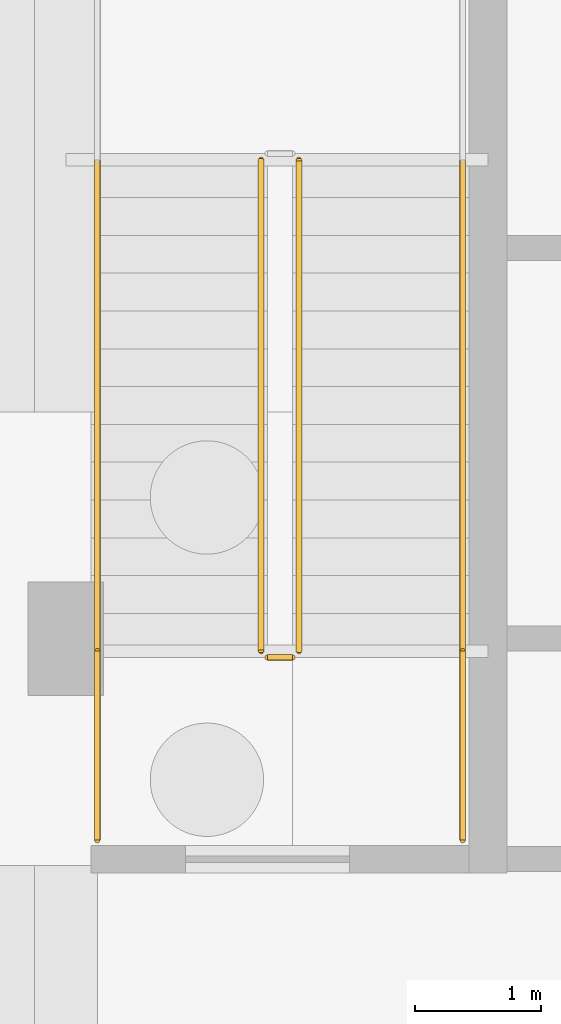
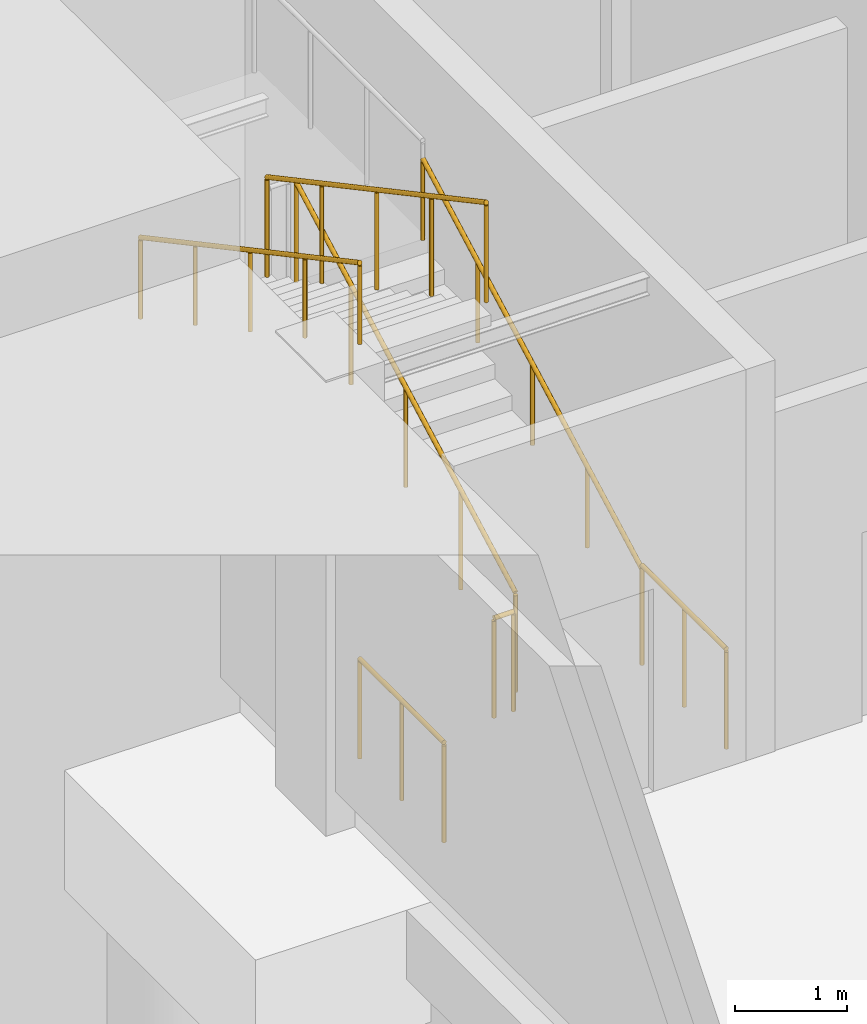
# One storey, part 48 of 51: 7 railings.
"""IFC4 building model written with IfcOpenShell, lengths in metres."""

import ifcopenshell
import ifcopenshell.guid

model = None  # the IFC model being written
_history = None  # IfcOwnerHistory: only IFC2X3 demands one
_inside = {}  # id of a spatial element -> (the spatial element, [elements in it])
_under = {}  # id of a project, library or spatial element -> (it, [spatial elements below it])
_declared = {}  # id of a project -> (the project, [libraries it declares])
_typed = {}  # id of a type object -> (the type object, [elements of that type])
_made_of = {}  # id of a material, layer set ... -> (it, [elements and type objects made of it])


def new_model(schema):
    """Start an empty IFC model of exactly this schema.

    Asked for "IFC4X3", IfcOpenShell would pick the latest addendum, in which some entities
    have other attributes; the version numbers below select the first issue.
    IFC2X3 requires an IfcOwnerHistory on every rooted entity: one is made here for all.
    """
    global model, _history
    if schema == "IFC4X3":
        model = ifcopenshell.file(schema_version=(4, 3, 0, 0))
    else:
        model = ifcopenshell.file(schema=schema)
    _inside.clear()
    _under.clear()
    _declared.clear()
    _typed.clear()
    _made_of.clear()
    _history = None
    if model.schema == "IFC2X3":
        org = make("IfcOrganization", Name="unknown")
        user = make(
            "IfcPersonAndOrganization",
            ThePerson=make("IfcPerson", FamilyName="unknown"),
            TheOrganization=org,
        )
        app = make(
            "IfcApplication",
            ApplicationDeveloper=org,
            Version="unknown",
            ApplicationFullName="unknown",
            ApplicationIdentifier="unknown",
        )
        _history = make(
            "IfcOwnerHistory",
            OwningUser=user,
            OwningApplication=app,
            ChangeAction="ADDED",
            CreationDate=0,
        )
    return model


def make(cls, **values):
    """One entity of the class cls with the attributes given. An attribute that is None is left unset."""
    return model.create_entity(
        cls, **{name: value for name, value in values.items() if value is not None}
    )


def rooted(cls, **values):
    """An entity with a GlobalId (a new one), such as an element, a storey or a relation."""
    return make(cls, GlobalId=ifcopenshell.guid.new(), OwnerHistory=_history, **values)


def si_unit(unit_type, name, prefix=None):
    """IfcSIUnit, for example si_unit("LENGTHUNIT", "METRE", prefix="MILLI")."""
    return make("IfcSIUnit", UnitType=unit_type, Prefix=prefix, Name=name)


def assignment(units):
    """IfcUnitAssignment: the units of a project."""
    return None if units is None else make("IfcUnitAssignment", Units=units)


def point(xyz):
    """IfcCartesianPoint."""
    return None if xyz is None else make("IfcCartesianPoint", Coordinates=xyz)


def direction(xyz):
    """IfcDirection."""
    return None if xyz is None else make("IfcDirection", DirectionRatios=xyz)


def frame(location, z_axis=None, x_axis=None):
    """IfcAxis2Placement3D, a coordinate frame: its origin and axes. An axis left out is left unset."""
    return make(
        "IfcAxis2Placement3D",
        Location=point(location),
        Axis=direction(z_axis),
        RefDirection=direction(x_axis),
    )


def frame_2d(location, x_axis=None):
    """IfcAxis2Placement2D, a coordinate frame in the plane: its origin and x axis."""
    return make(
        "IfcAxis2Placement2D", Location=point(location), RefDirection=direction(x_axis)
    )


def origin():
    """The frame at (0, 0, 0) with its axes left unset."""
    return frame((0.0, 0.0, 0.0))


def origin_2d():
    """The frame at (0, 0) in the plane with its x axis left unset."""
    return frame_2d((0.0, 0.0))


def place(relative_to, where):
    """IfcLocalPlacement: puts the frame where relative to a parent placement (None: the world)."""
    return make(
        "IfcLocalPlacement", PlacementRelTo=relative_to, RelativePlacement=where
    )


def context(
    kind, dimensions, precision=None, world=None, true_north=None, identifier=None
):
    """IfcGeometricRepresentationContext, for example the 3D "Model" context."""
    return make(
        "IfcGeometricRepresentationContext",
        ContextIdentifier=identifier,
        ContextType=kind,
        CoordinateSpaceDimension=dimensions,
        Precision=precision,
        WorldCoordinateSystem=world,
        TrueNorth=true_north,
    )


def subcontext(parent, identifier, kind, view, scale=None):
    """IfcGeometricRepresentationSubContext, for example "Body" below "Model"."""
    return make(
        "IfcGeometricRepresentationSubContext",
        ContextIdentifier=identifier,
        ContextType=kind,
        ParentContext=parent,
        TargetScale=scale,
        TargetView=view,
    )


def project(units=None, contexts=None):
    """IfcProject with its units and contexts."""
    return rooted(
        "IfcProject",
        Name="project",
        RepresentationContexts=contexts,
        UnitsInContext=assignment(units),
    )


def spatial(cls, under=None, at=None, **own):
    """A site, building, storey or space (cls), placed at a placement, below another one or the project."""
    s = rooted(cls, ObjectPlacement=at, **own)
    if under is not None:
        _under.setdefault(under.id(), (under, []))[1].append(s)
    return s


def profile(cls, at=None, kind="AREA", **sizes):
    """A parametric profile (cls). Its sizes go by their IFC names, for example OverallWidth=200.0."""
    return make(cls, ProfileType=kind, Position=at, **sizes)


def circle(**sizes):
    """IfcCircleProfileDef."""
    return profile("IfcCircleProfileDef", **sizes)


def extrude(swept, where, along, depth):
    """IfcExtrudedAreaSolid: the profile swept, set in the frame where, extruded along a direction by depth."""
    return make(
        "IfcExtrudedAreaSolid",
        SweptArea=swept,
        Position=where,
        ExtrudedDirection=direction(along),
        Depth=depth,
    )


def shape(context_of_items, identifier, shape_type, items):
    """IfcShapeRepresentation: the items that make up one representation, for example the "Body"."""
    return make(
        "IfcShapeRepresentation",
        ContextOfItems=context_of_items,
        RepresentationIdentifier=identifier,
        RepresentationType=shape_type,
        Items=items,
    )


def material(Name=None, Category=None):
    """IfcMaterial."""
    return make("IfcMaterial", Name=Name, Category=Category)


def made_of(thing, what):
    """Note that an element or type object is made of a material, layer set ...; save() writes the relation."""
    if what is not None:
        _made_of.setdefault(what.id(), (what, []))[1].append(thing)
    return thing


def type_object(cls, material=None, **own):
    """A type object (cls), such as IfcWallType, which elements share."""
    return made_of(rooted(cls, **own), material)


def element(
    cls,
    number,
    at=None,
    inside=None,
    cuts=None,
    type_object=None,
    material=None,
    context=None,
    identifier="Body",
    shape_type=None,
    held_by="IfcProductDefinitionShape",
    body=None,
    shapes=None,
    **own,
):
    """One element of the class cls, such as IfcWall. Its Tag is "e" and its number.

    at: its placement. inside: the storey or other place that contains it. cuts: it is an
    opening in that element (IfcRelVoidsElement). A single representation is given by context,
    identifier, shape_type and body (its items); several are given by shapes. held_by: the class
    of the entity that holds the representations. save() writes the other relations.
    """
    e = rooted(cls, Tag="e%d" % number, ObjectPlacement=at, **own)
    if body is not None:
        shapes = [shape(context, identifier, shape_type, body)]
    if shapes is not None:
        e.Representation = make(held_by, Representations=shapes)
    if inside is not None:
        _inside.setdefault(inside.id(), (inside, []))[1].append(e)
    if cuts is not None:
        rooted(
            "IfcRelVoidsElement", RelatingBuildingElement=cuts, RelatedOpeningElement=e
        )
    if type_object is not None:
        _typed.setdefault(type_object.id(), (type_object, []))[1].append(e)
    return made_of(e, material)


def aggregate(whole, parts):
    """IfcRelAggregates: a whole, such as a stair, and the parts it consists of."""
    return rooted("IfcRelAggregates", RelatingObject=whole, RelatedObjects=parts)


def save(model, path):
    """Write the relations noted so far, then the file.

    IfcRelAggregates (storeys below a building ...), IfcRelContainedInSpatialStructure (elements
    in a storey), IfcRelDefinesByType, IfcRelAssociatesMaterial and IfcRelDeclares: one each for
    every whole, place, type object, material and project.
    """
    for whole, parts in _under.values():
        aggregate(whole, parts)
    for where, things in _inside.values():
        rooted(
            "IfcRelContainedInSpatialStructure",
            RelatedElements=things,
            RelatingStructure=where,
        )
    for kind, things in _typed.values():
        rooted("IfcRelDefinesByType", RelatedObjects=things, RelatingType=kind)
    for what, things in _made_of.values():
        rooted("IfcRelAssociatesMaterial", RelatedObjects=things, RelatingMaterial=what)
    for by, libraries in _declared.values():
        rooted("IfcRelDeclares", RelatingContext=by, RelatedDefinitions=libraries)
    model.write(path)


model = new_model("IFC4")

# Units and contexts
model_context = context("Model", 3, precision=1e-05, world=origin(), true_north=direction((0.0, 1.0)))
body_context = subcontext(model_context, "Body", "Model", "MODEL_VIEW")
ifc_project = project(units=[si_unit("LENGTHUNIT", "METRE"), si_unit("AREAUNIT", "SQUARE_METRE"), si_unit("VOLUMEUNIT", "CUBIC_METRE"), si_unit("PLANEANGLEUNIT", "RADIAN"), si_unit("MASSUNIT", "GRAM", prefix="KILO")], contexts=[model_context])

# Site, building, storey
site_placement = place(None, origin())
site = spatial("IfcSite", under=ifc_project, at=site_placement, CompositionType="ELEMENT")
building_placement = place(site_placement, origin())
building = spatial("IfcBuilding", under=site, at=building_placement, Name="Zlatovets Crest Museum", CompositionType="ELEMENT")
storey_placement = place(building_placement, frame((0.0, 0.0, -4.5)))
storey = spatial("IfcBuildingStorey", under=building, at=storey_placement, Name="B1", CompositionType="ELEMENT", Elevation=-4.5)

# Railings
ifc_material_1 = material(Name="Painted steel safety guardrail", Category="steel")
railing_type_1 = type_object("IfcRailingType", Name="StairGuard_SG01", PredefinedType="GUARDRAIL", material=ifc_material_1)
railing_1_placement = place(storey_placement, frame((131.449951171875, 86.300048828125, 0.16064453125)))
element("IfcRailing", 1, at=railing_1_placement, inside=storey, type_object=railing_type_1, Name="B1 ST8 stair guard 1", PredefinedType="GUARDRAIL", context=body_context, shape_type="SweptSolid", body=[
    extrude(circle(Radius=0.02392578125, at=origin_2d()), frame((0.0, 0.0, 1.076171875), z_axis=(0.0, 0.881468485026, 0.472242850561), x_axis=(-1.0, 0.0, 0.0)), (0.0, 0.0, 1.0), 4.42431640625),
    extrude(circle(Radius=0.02099609375, at=origin_2d()), origin(), (0.0, 0.0, 1.0), 1.052001953125),
    extrude(circle(Radius=0.02099609375, at=origin_2d()), frame((0.0, 0.97509765625, 0.5224609375)), (0.0, 0.0, 1.0), 1.052001953125),
    extrude(circle(Radius=0.02099609375, at=origin_2d()), frame((0.0, 1.949951171875, 1.044677734375)), (0.0, 0.0, 1.0), 1.052001953125),
    extrude(circle(Radius=0.02099609375, at=origin_2d()), frame((0.0, 2.9248046875, 1.56689453125)), (0.0, 0.0, 1.0), 1.052001953125),
    extrude(circle(Radius=0.02099609375, at=origin_2d()), frame((0.0, 3.89990234375, 2.08935546875)), (0.0, 0.0, 1.0), 1.052001953125),
])
railing_2_placement = place(storey_placement, frame((131.14990234375, 90.199951171875, 2.41064453125)))
element("IfcRailing", 2, at=railing_2_placement, inside=storey, type_object=railing_type_1, Name="B1 ST8 stair guard 5", PredefinedType="GUARDRAIL", context=body_context, shape_type="SweptSolid", body=[
    extrude(circle(Radius=0.02392578125, at=origin_2d()), frame((0.0, 0.0, 1.076171875), z_axis=(0.0, -0.881468485026, 0.472242850561), x_axis=(1.0, 0.0, 0.0)), (0.0, 0.0, 1.0), 4.42431640625),
    extrude(circle(Radius=0.02099609375, at=origin_2d()), origin(), (0.0, 0.0, 1.0), 1.052001953125),
    extrude(circle(Radius=0.02099609375, at=origin_2d()), frame((0.0, -0.97509765625, 0.5224609375)), (0.0, 0.0, 1.0), 1.052001953125),
    extrude(circle(Radius=0.02099609375, at=origin_2d()), frame((0.0, -1.949951171875, 1.044677734375)), (0.0, 0.0, 1.0), 1.052001953125),
    extrude(circle(Radius=0.02099609375, at=origin_2d()), frame((0.0, -2.9248046875, 1.56689453125)), (0.0, 0.0, 1.0), 1.052001953125),
    extrude(circle(Radius=0.02099609375, at=origin_2d()), frame((0.0, -3.89990234375, 2.08935546875)), (0.0, 0.0, 1.0), 1.052001953125),
])
railing_3_placement = place(storey_placement, frame((131.39990234375, 86.25, 0.0)))
element("IfcRailing", 3, at=railing_3_placement, inside=storey, type_object=railing_type_1, Name="B1 ST8 stair guard 6", PredefinedType="GUARDRAIL", context=body_context, shape_type="SweptSolid", body=[
    extrude(circle(Radius=0.02392578125, at=origin_2d()), frame((0.0, 0.0, 1.076171875), z_axis=(-1.0, 0.0, 0.0), x_axis=(0.0, -1.0, 0.0)), (0.0, 0.0, 1.0), 0.199951171875),
    extrude(circle(Radius=0.02099609375, at=origin_2d()), origin(), (0.0, 0.0, 1.0), 1.052001953125),
    extrude(circle(Radius=0.02099609375, at=origin_2d()), frame((-0.199951171875, 0.0, 0.0)), (0.0, 0.0, 1.0), 1.052001953125),
])
for number, where, name in (
    (4, (132.75, 84.800048828125, 0.0), "B1 ST8 stair guard 7"),
    (5, (129.85009765625, 84.800048828125, 0.0), "B1 ST8 stair guard 8"),
):
    element("IfcRailing", number, at=place(storey_placement, frame(where)), inside=storey, type_object=railing_type_1, Name=name, PredefinedType="GUARDRAIL", context=body_context, shape_type="SweptSolid", body=[
        extrude(circle(Radius=0.02392578125, at=origin_2d()), frame((0.0, 0.0, 1.076171875), z_axis=(0.0, 1.0, 0.0), x_axis=(-1.0, 0.0, 0.0)), (0.0, 0.0, 1.0), 1.5),
        extrude(circle(Radius=0.02099609375, at=origin_2d()), origin(), (0.0, 0.0, 1.0), 1.052001953125),
        extrude(circle(Radius=0.02099609375, at=origin_2d()), frame((0.0, 0.75, 0.0)), (0.0, 0.0, 1.0), 1.052001953125),
        extrude(circle(Radius=0.02099609375, at=origin_2d()), frame((0.0, 1.5, 0.0)), (0.0, 0.0, 1.0), 1.052001953125),
    ])
ifc_material_2 = material(Name="Brushed bronze stair handrail")
railing_type_2 = type_object("IfcRailingType", Name="StairHandrail_SH01", PredefinedType="HANDRAIL", material=ifc_material_2)
railing_4_placement = place(storey_placement, frame((132.75, 86.300048828125, 0.16064453125)))
element("IfcRailing", 6, at=railing_4_placement, inside=storey, type_object=railing_type_2, Name="B1 ST8 stair handrail 1", PredefinedType="HANDRAIL", context=body_context, shape_type="SweptSolid", body=[
    extrude(circle(Radius=0.02392578125, at=origin_2d()), frame((0.0, 0.0, 0.8759765625), z_axis=(0.0, 0.881468485026, 0.472242850561), x_axis=(-1.0, 0.0, 0.0)), (0.0, 0.0, 1.0), 4.42431640625),
    extrude(circle(Radius=0.02099609375, at=origin_2d()), origin(), (0.0, 0.0, 1.0), 0.851806640625),
    extrude(circle(Radius=0.02099609375, at=origin_2d()), frame((0.0, 0.97509765625, 0.5224609375)), (0.0, 0.0, 1.0), 0.851806640625),
    extrude(circle(Radius=0.02099609375, at=origin_2d()), frame((0.0, 1.949951171875, 1.044677734375)), (0.0, 0.0, 1.0), 0.851806640625),
    extrude(circle(Radius=0.02099609375, at=origin_2d()), frame((0.0, 2.9248046875, 1.56689453125)), (0.0, 0.0, 1.0), 0.851806640625),
    extrude(circle(Radius=0.02099609375, at=origin_2d()), frame((0.0, 3.89990234375, 2.08935546875)), (0.0, 0.0, 1.0), 0.851806640625),
])
railing_5_placement = place(storey_placement, frame((129.85009765625, 90.199951171875, 2.41064453125)))
element("IfcRailing", 7, at=railing_5_placement, inside=storey, type_object=railing_type_2, Name="B1 ST8 stair handrail 2", PredefinedType="HANDRAIL", context=body_context, shape_type="SweptSolid", body=[
    extrude(circle(Radius=0.02392578125, at=origin_2d()), frame((0.0, 0.0, 0.8759765625), z_axis=(0.0, -0.881468485026, 0.472242850561), x_axis=(1.0, 0.0, 0.0)), (0.0, 0.0, 1.0), 4.42431640625),
    extrude(circle(Radius=0.02099609375, at=origin_2d()), origin(), (0.0, 0.0, 1.0), 0.851806640625),
    extrude(circle(Radius=0.02099609375, at=origin_2d()), frame((0.0, -0.97509765625, 0.5224609375)), (0.0, 0.0, 1.0), 0.851806640625),
    extrude(circle(Radius=0.02099609375, at=origin_2d()), frame((0.0, -1.949951171875, 1.044677734375)), (0.0, 0.0, 1.0), 0.851806640625),
    extrude(circle(Radius=0.02099609375, at=origin_2d()), frame((0.0, -2.9248046875, 1.56689453125)), (0.0, 0.0, 1.0), 0.851806640625),
    extrude(circle(Radius=0.02099609375, at=origin_2d()), frame((0.0, -3.89990234375, 2.08935546875)), (0.0, 0.0, 1.0), 0.851806640625),
])

save(model, "model.ifc")
